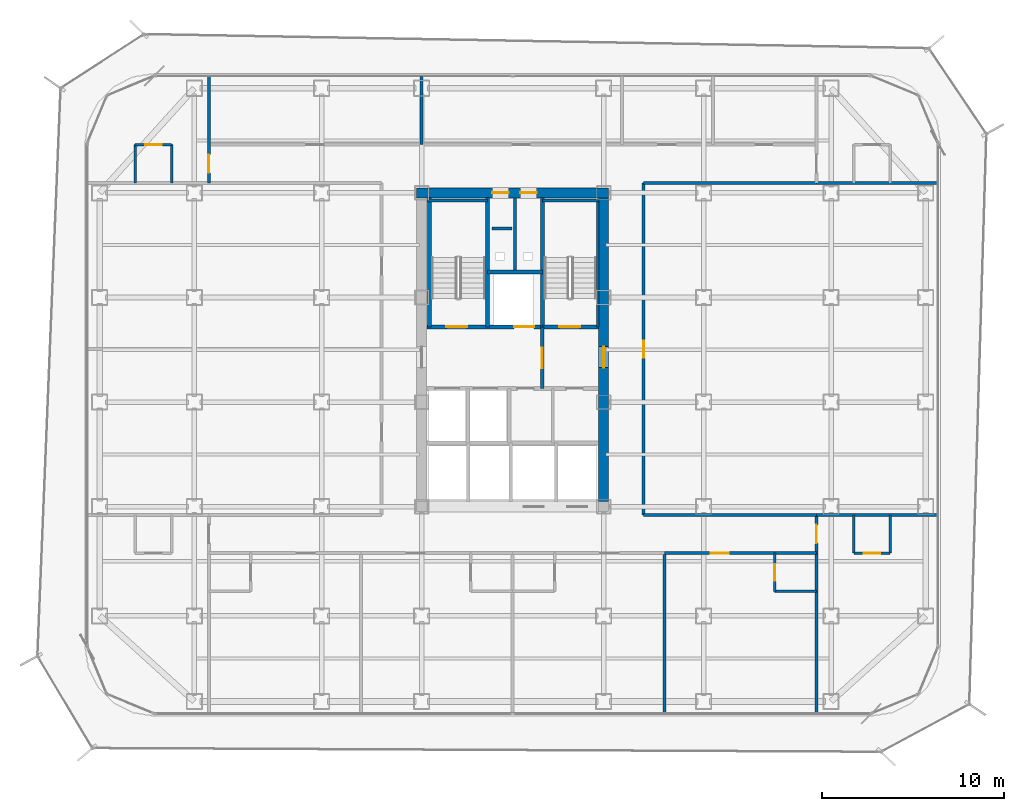
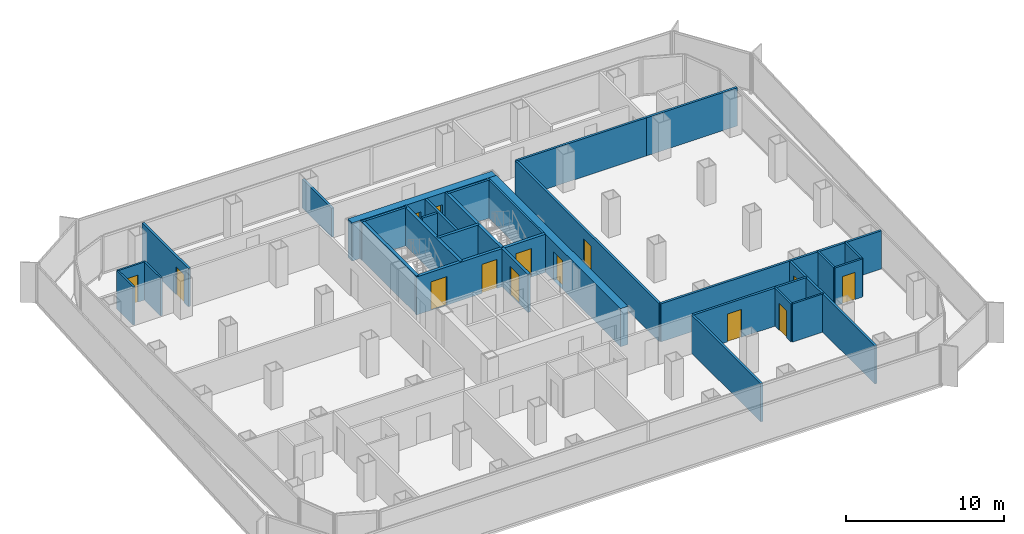
# One storey, part 17 of 21: 33 walls, 14 doors, 14 openings.
"""IFC4 building model written with IfcOpenShell, lengths in metres."""

import ifcopenshell
import ifcopenshell.guid

model = None  # the IFC model being written
_history = None  # IfcOwnerHistory: only IFC2X3 demands one
_inside = {}  # id of a spatial element -> (the spatial element, [elements in it])
_under = {}  # id of a project, library or spatial element -> (it, [spatial elements below it])
_declared = {}  # id of a project -> (the project, [libraries it declares])
_typed = {}  # id of a type object -> (the type object, [elements of that type])
_made_of = {}  # id of a material, layer set ... -> (it, [elements and type objects made of it])


def new_model(schema):
    """Start an empty IFC model of exactly this schema.

    Asked for "IFC4X3", IfcOpenShell would pick the latest addendum, in which some entities
    have other attributes; the version numbers below select the first issue.
    IFC2X3 requires an IfcOwnerHistory on every rooted entity: one is made here for all.
    """
    global model, _history
    if schema == "IFC4X3":
        model = ifcopenshell.file(schema_version=(4, 3, 0, 0))
    else:
        model = ifcopenshell.file(schema=schema)
    _inside.clear()
    _under.clear()
    _declared.clear()
    _typed.clear()
    _made_of.clear()
    _history = None
    if model.schema == "IFC2X3":
        org = make("IfcOrganization", Name="unknown")
        user = make(
            "IfcPersonAndOrganization",
            ThePerson=make("IfcPerson", FamilyName="unknown"),
            TheOrganization=org,
        )
        app = make(
            "IfcApplication",
            ApplicationDeveloper=org,
            Version="unknown",
            ApplicationFullName="unknown",
            ApplicationIdentifier="unknown",
        )
        _history = make(
            "IfcOwnerHistory",
            OwningUser=user,
            OwningApplication=app,
            ChangeAction="ADDED",
            CreationDate=0,
        )
    return model


def make(cls, **values):
    """One entity of the class cls with the attributes given. An attribute that is None is left unset."""
    return model.create_entity(
        cls, **{name: value for name, value in values.items() if value is not None}
    )


def rooted(cls, **values):
    """An entity with a GlobalId (a new one), such as an element, a storey or a relation."""
    return make(cls, GlobalId=ifcopenshell.guid.new(), OwnerHistory=_history, **values)


def si_unit(unit_type, name, prefix=None):
    """IfcSIUnit, for example si_unit("LENGTHUNIT", "METRE", prefix="MILLI")."""
    return make("IfcSIUnit", UnitType=unit_type, Prefix=prefix, Name=name)


def assignment(units):
    """IfcUnitAssignment: the units of a project."""
    return None if units is None else make("IfcUnitAssignment", Units=units)


def point(xyz):
    """IfcCartesianPoint."""
    return None if xyz is None else make("IfcCartesianPoint", Coordinates=xyz)


def direction(xyz):
    """IfcDirection."""
    return None if xyz is None else make("IfcDirection", DirectionRatios=xyz)


def frame(location, z_axis=None, x_axis=None):
    """IfcAxis2Placement3D, a coordinate frame: its origin and axes. An axis left out is left unset."""
    return make(
        "IfcAxis2Placement3D",
        Location=point(location),
        Axis=direction(z_axis),
        RefDirection=direction(x_axis),
    )


def frame_2d(location, x_axis=None):
    """IfcAxis2Placement2D, a coordinate frame in the plane: its origin and x axis."""
    return make(
        "IfcAxis2Placement2D", Location=point(location), RefDirection=direction(x_axis)
    )


def origin():
    """The frame at (0, 0, 0) with its axes left unset."""
    return frame((0.0, 0.0, 0.0))


def place(relative_to, where):
    """IfcLocalPlacement: puts the frame where relative to a parent placement (None: the world)."""
    return make(
        "IfcLocalPlacement", PlacementRelTo=relative_to, RelativePlacement=where
    )


def context(
    kind, dimensions, precision=None, world=None, true_north=None, identifier=None
):
    """IfcGeometricRepresentationContext, for example the 3D "Model" context."""
    return make(
        "IfcGeometricRepresentationContext",
        ContextIdentifier=identifier,
        ContextType=kind,
        CoordinateSpaceDimension=dimensions,
        Precision=precision,
        WorldCoordinateSystem=world,
        TrueNorth=true_north,
    )


def subcontext(parent, identifier, kind, view, scale=None):
    """IfcGeometricRepresentationSubContext, for example "Body" below "Model"."""
    return make(
        "IfcGeometricRepresentationSubContext",
        ContextIdentifier=identifier,
        ContextType=kind,
        ParentContext=parent,
        TargetScale=scale,
        TargetView=view,
    )


def project(units=None, contexts=None):
    """IfcProject with its units and contexts."""
    return rooted(
        "IfcProject",
        Name="project",
        RepresentationContexts=contexts,
        UnitsInContext=assignment(units),
    )


def spatial(cls, under=None, at=None, **own):
    """A site, building, storey or space (cls), placed at a placement, below another one or the project."""
    s = rooted(cls, ObjectPlacement=at, **own)
    if under is not None:
        _under.setdefault(under.id(), (under, []))[1].append(s)
    return s


def profile(cls, at=None, kind="AREA", **sizes):
    """A parametric profile (cls). Its sizes go by their IFC names, for example OverallWidth=200.0."""
    return make(cls, ProfileType=kind, Position=at, **sizes)


def rectangle(**sizes):
    """IfcRectangleProfileDef."""
    return profile("IfcRectangleProfileDef", **sizes)


def extrude(swept, where, along, depth):
    """IfcExtrudedAreaSolid: the profile swept, set in the frame where, extruded along a direction by depth."""
    return make(
        "IfcExtrudedAreaSolid",
        SweptArea=swept,
        Position=where,
        ExtrudedDirection=direction(along),
        Depth=depth,
    )


def shape(context_of_items, identifier, shape_type, items):
    """IfcShapeRepresentation: the items that make up one representation, for example the "Body"."""
    return make(
        "IfcShapeRepresentation",
        ContextOfItems=context_of_items,
        RepresentationIdentifier=identifier,
        RepresentationType=shape_type,
        Items=items,
    )


def material(Name=None, Category=None):
    """IfcMaterial."""
    return make("IfcMaterial", Name=Name, Category=Category)


def layer(
    of_material, thickness, ventilated=None, Name=None, Category=None, Priority=None
):
    """IfcMaterialLayer: one layer of a wall or slab, of a material (None: an air gap)."""
    return make(
        "IfcMaterialLayer",
        Material=of_material,
        LayerThickness=thickness,
        IsVentilated=ventilated,
        Name=Name,
        Category=Category,
        Priority=Priority,
    )


def layer_set(layers, Name=None):
    """IfcMaterialLayerSet."""
    return make("IfcMaterialLayerSet", MaterialLayers=layers, LayerSetName=Name)


def made_of(thing, what):
    """Note that an element or type object is made of a material, layer set ...; save() writes the relation."""
    if what is not None:
        _made_of.setdefault(what.id(), (what, []))[1].append(thing)
    return thing


def type_object(cls, material=None, **own):
    """A type object (cls), such as IfcWallType, which elements share."""
    return made_of(rooted(cls, **own), material)


def element(
    cls,
    number,
    at=None,
    inside=None,
    cuts=None,
    type_object=None,
    material=None,
    context=None,
    identifier="Body",
    shape_type=None,
    held_by="IfcProductDefinitionShape",
    body=None,
    shapes=None,
    **own,
):
    """One element of the class cls, such as IfcWall. Its Tag is "e" and its number.

    at: its placement. inside: the storey or other place that contains it. cuts: it is an
    opening in that element (IfcRelVoidsElement). A single representation is given by context,
    identifier, shape_type and body (its items); several are given by shapes. held_by: the class
    of the entity that holds the representations. save() writes the other relations.
    """
    e = rooted(cls, Tag="e%d" % number, ObjectPlacement=at, **own)
    if body is not None:
        shapes = [shape(context, identifier, shape_type, body)]
    if shapes is not None:
        e.Representation = make(held_by, Representations=shapes)
    if inside is not None:
        _inside.setdefault(inside.id(), (inside, []))[1].append(e)
    if cuts is not None:
        rooted(
            "IfcRelVoidsElement", RelatingBuildingElement=cuts, RelatedOpeningElement=e
        )
    if type_object is not None:
        _typed.setdefault(type_object.id(), (type_object, []))[1].append(e)
    return made_of(e, material)


def fill(opening, filler):
    """IfcRelFillsElement: the door or window that sits in an opening."""
    return rooted(
        "IfcRelFillsElement",
        RelatingOpeningElement=opening,
        RelatedBuildingElement=filler,
    )


def aggregate(whole, parts):
    """IfcRelAggregates: a whole, such as a stair, and the parts it consists of."""
    return rooted("IfcRelAggregates", RelatingObject=whole, RelatedObjects=parts)


def save(model, path):
    """Write the relations noted so far, then the file.

    IfcRelAggregates (storeys below a building ...), IfcRelContainedInSpatialStructure (elements
    in a storey), IfcRelDefinesByType, IfcRelAssociatesMaterial and IfcRelDeclares: one each for
    every whole, place, type object, material and project.
    """
    for whole, parts in _under.values():
        aggregate(whole, parts)
    for where, things in _inside.values():
        rooted(
            "IfcRelContainedInSpatialStructure",
            RelatedElements=things,
            RelatingStructure=where,
        )
    for kind, things in _typed.values():
        rooted("IfcRelDefinesByType", RelatedObjects=things, RelatingType=kind)
    for what, things in _made_of.values():
        rooted("IfcRelAssociatesMaterial", RelatedObjects=things, RelatingMaterial=what)
    for by, libraries in _declared.values():
        rooted("IfcRelDeclares", RelatingContext=by, RelatedDefinitions=libraries)
    model.write(path)


model = new_model("IFC4")

# Units and contexts
model_context = context("Model", 3, precision=1e-05, world=origin(), true_north=direction((0.0, 1.0)))
body_context = subcontext(model_context, "Body", "Model", "MODEL_VIEW")
ifc_project = project(units=[si_unit("LENGTHUNIT", "METRE"), si_unit("AREAUNIT", "SQUARE_METRE"), si_unit("VOLUMEUNIT", "CUBIC_METRE"), si_unit("PLANEANGLEUNIT", "RADIAN"), si_unit("MASSUNIT", "GRAM", prefix="KILO")], contexts=[model_context])

# Site, building, storey
site_placement = place(None, origin())
site = spatial("IfcSite", under=ifc_project, at=site_placement, CompositionType="ELEMENT")
building_placement = place(site_placement, origin())
building = spatial("IfcBuilding", under=site, at=building_placement, Name="Kolveth Station Tower", CompositionType="ELEMENT")
storey_placement = place(building_placement, frame((0.0, 0.0, 92.699951171875)))
storey = spatial("IfcBuildingStorey", under=building, at=storey_placement, Name="L24", CompositionType="ELEMENT", Elevation=92.699951171875)

# Wall, openings, doors
ifc_material_1 = material(Name="Concrete C60/75", Category="concrete")
ifc_layer_1 = layer(ifc_material_1, 0.550048828125)
ifc_layer_set_1 = layer_set([ifc_layer_1], Name="Concrete C60/75")
wall_type_1 = type_object("IfcWallType", Name="Wall_CW-550", PredefinedType="SHEAR", material=ifc_layer_set_1)
wall_1_placement = place(storey_placement, frame((18.22509765625, 28.75, 0.0), z_axis=(0.0, 0.0, 1.0), x_axis=(1.0, 0.0, 0.0)))
wall_1 = element("IfcWall", 1, at=wall_1_placement, inside=storey, type_object=wall_type_1, Name="L24 Core RC Shear Wall N", PredefinedType="SHEAR", context=body_context, shape_type="SweptSolid", body=[
    extrude(rectangle(XDim=10.5498046875, YDim=0.550048828125, at=frame_2d((5.27490234375, 0.0))), origin(), (0.0, 0.0, 1.0), 2.949951171875),
])
opening_1_placement = place(wall_1_placement, frame((4.155029296875, 0.0, 0.0)))
opening_1 = element("IfcOpeningElement", 2, at=opening_1_placement, cuts=wall_1, Name="Opening RD1", PredefinedType="OPENING", context=body_context, shape_type="SweptSolid", body=[
    extrude(rectangle(XDim=0.89990234375, YDim=2.050048828125, at=frame_2d((0.449951171875, 1.02490234375))), frame((0.0, 0.284912109375, 0.0), z_axis=(0.0, -1.0, 0.0), x_axis=(1.0, 0.0, 0.0)), (0.0, 0.0, 1.0), 0.570068359375),
])
opening_2_placement = place(wall_1_placement, frame((5.695068359375, 0.0, 0.0)))
opening_2 = element("IfcOpeningElement", 3, at=opening_2_placement, cuts=wall_1, Name="Opening RD1", PredefinedType="OPENING", context=body_context, shape_type="SweptSolid", body=[
    extrude(rectangle(XDim=0.89990234375, YDim=2.050048828125, at=frame_2d((0.449951171875, 1.02490234375))), frame((0.0, 0.284912109375, 0.0), z_axis=(0.0, -1.0, 0.0), x_axis=(1.0, 0.0, 0.0)), (0.0, 0.0, 1.0), 0.570068359375),
])
ifc_material_2 = material(Name="Fire-rated Steel S355 riser access leaf", Category="steel")
door_type_1 = type_object("IfcDoorType", Name="Door_RD1", OperationType="NOTDEFINED", PredefinedType="DOOR", material=ifc_material_2)
door_1_placement = place(opening_1_placement, origin())
door_1 = element("IfcDoor", 4, at=door_1_placement, inside=storey, type_object=door_type_1, Name="L24 Electrical Riser Access Door", OperationType="SINGLE_SWING_LEFT", OverallHeight=2.050048828125, OverallWidth=0.89990234375, PredefinedType="DOOR", context=body_context, shape_type="SweptSolid", body=[
    extrude(rectangle(XDim=0.89990234375, YDim=2.050048828125, at=frame_2d((0.449951171875, 1.02490234375))), frame((0.0, 0.02490234375, 0.0), z_axis=(0.0, -1.0, 0.0), x_axis=(1.0, 0.0, 0.0)), (0.0, 0.0, 1.0), 0.050048828125),
])
fill(opening_1, door_1)
door_2_placement = place(opening_2_placement, origin())
door_2 = element("IfcDoor", 5, at=door_2_placement, inside=storey, type_object=door_type_1, Name="L24 Smoke Duct Access Door", OperationType="SINGLE_SWING_RIGHT", OverallHeight=2.050048828125, OverallWidth=0.89990234375, PredefinedType="DOOR", context=body_context, shape_type="SweptSolid", body=[
    extrude(rectangle(XDim=0.89990234375, YDim=2.050048828125, at=frame_2d((0.449951171875, 1.02490234375))), frame((0.0, 0.02490234375, 0.0), z_axis=(0.0, -1.0, 0.0), x_axis=(1.0, 0.0, 0.0)), (0.0, 0.0, 1.0), 0.050048828125),
])
fill(opening_2, door_2)

# Wall, opening, door
wall_2_placement = place(storey_placement, frame((28.5, 11.77490234375, 0.0), z_axis=(0.0, 0.0, 1.0), x_axis=(0.0, 1.0, 0.0)))
wall_2 = element("IfcWall", 6, at=wall_2_placement, inside=storey, type_object=wall_type_1, Name="L24 Core RC Shear Wall E", PredefinedType="SHEAR", context=body_context, shape_type="SweptSolid", body=[
    extrude(rectangle(XDim=16.7001953125, YDim=0.550048828125, at=frame_2d((8.35009765625, 0.0))), origin(), (0.0, 0.0, 1.0), 2.949951171875),
])
opening_3_placement = place(wall_2_placement, frame((7.375, 0.0, 0.0)))
opening_3 = element("IfcOpeningElement", 7, at=opening_3_placement, cuts=wall_2, Name="Opening FD1", PredefinedType="OPENING", context=body_context, shape_type="SweptSolid", body=[
    extrude(rectangle(XDim=1.14990234375, YDim=2.199951171875, at=frame_2d((0.574951171875, 1.10009765625))), frame((0.0, 0.284912109375, 0.0), z_axis=(0.0, -1.0, 0.0), x_axis=(1.0, 0.0, 0.0)), (0.0, 0.0, 1.0), 0.570068359375),
])
ifc_material_3 = material(Name="Fire-rated Steel S355 leaf and frame", Category="steel")
door_type_2 = type_object("IfcDoorType", Name="Door_FD1", OperationType="NOTDEFINED", PredefinedType="DOOR", material=ifc_material_3)
door_3_placement = place(opening_3_placement, origin())
door_3 = element("IfcDoor", 8, at=door_3_placement, inside=storey, type_object=door_type_2, Name="L24 East Corridor to Stair Lobby Door", OperationType="SINGLE_SWING_RIGHT", OverallHeight=2.199951171875, OverallWidth=1.14990234375, PredefinedType="DOOR", context=body_context, shape_type="SweptSolid", body=[
    extrude(rectangle(XDim=1.14990234375, YDim=2.199951171875, at=frame_2d((0.574951171875, 1.10009765625))), frame((0.0, 0.02490234375, 0.0), z_axis=(0.0, -1.0, 0.0), x_axis=(1.0, 0.0, 0.0)), (0.0, 0.0, 1.0), 0.050048828125),
])
fill(opening_3, door_3)

# Walls
ifc_material_4 = material(Name="Moisture-resistant gypsum partition")
ifc_layer_2 = layer(ifc_material_4, 0.135009765625)
ifc_layer_set_2 = layer_set([ifc_layer_2], Name="Moisture-resistant gypsum partition")
wall_type_2 = type_object("IfcWallType", Name="Wall_IW-135", PredefinedType="PARTITIONING", material=ifc_layer_set_2)
wall_3_placement = place(storey_placement, frame((28.16748046875, 21.389892578125, 0.0), z_axis=(0.0, 0.0, 1.0), x_axis=(0.0, 1.0, 0.0)))
element("IfcWall", 9, at=wall_3_placement, inside=storey, type_object=wall_type_2, Name="L24 Stair Shaft Wall WL-L24-ST2-E", PredefinedType="PARTITIONING", context=body_context, shape_type="SweptSolid", body=[
    extrude(rectangle(XDim=6.945068359375, YDim=0.135009765625, at=frame_2d((3.47265625, 0.0))), origin(), (0.0, 0.0, 1.0), 2.949951171875),
])
for number, where, z_axis, x_axis, name in (
    (10, (2.75, 29.300048828125, 0.0), (0.0, 0.0, 1.0), (0.0, 1.0, 0.0), "L24 Partition Wall WL-L24-WS2-BV1"),
    (11, (4.75, 29.300048828125, 0.0), (0.0, 0.0, 1.0), (0.0, 1.0, 0.0), "L24 Partition Wall WL-L24-WS2-BV2"),
):
    element("IfcWall", number, at=place(storey_placement, frame(where, z_axis=z_axis, x_axis=x_axis)), inside=storey, type_object=wall_type_2, Name=name, PredefinedType="PARTITIONING", context=body_context, shape_type="SweptSolid", body=[
        extrude(rectangle(XDim=2.099853515625, YDim=0.135009765625, at=frame_2d((1.0498046875, 0.0))), origin(), (0.0, 0.0, 1.0), 2.949951171875),
    ])

# Wall, opening, door
wall_4_placement = place(storey_placement, frame((2.75, 31.39990234375, 0.0), z_axis=(0.0, 0.0, 1.0), x_axis=(1.0, 0.0, 0.0)))
wall_4 = element("IfcWall", 12, at=wall_4_placement, inside=storey, type_object=wall_type_2, Name="L24 Partition Wall WL-L24-WS2-BH", PredefinedType="PARTITIONING", context=body_context, shape_type="SweptSolid", body=[
    extrude(rectangle(XDim=2.0, YDim=0.135009765625, at=frame_2d((1.0, 0.0))), origin(), (0.0, 0.0, 1.0), 2.949951171875),
])
opening_4_placement = place(wall_4_placement, frame((0.5400390625, 0.0, 0.0)))
opening_4 = element("IfcOpeningElement", 13, at=opening_4_placement, cuts=wall_4, Name="Opening ID2", PredefinedType="OPENING", context=body_context, shape_type="SweptSolid", body=[
    extrude(rectangle(XDim=0.919921875, YDim=2.10009765625, at=frame_2d((0.4599609375, 1.050048828125))), frame((0.0, 0.077392578125, 0.0), z_axis=(0.0, -1.0, 0.0), x_axis=(1.0, 0.0, 0.0)), (0.0, 0.0, 1.0), 0.155029296875),
])
ifc_material_5 = material(Name="Moisture-resistant hardwood leaf", Category="wood")
door_type_3 = type_object("IfcDoorType", Name="Door_ID2", OperationType="NOTDEFINED", PredefinedType="DOOR", material=ifc_material_5)
door_4_placement = place(opening_4_placement, frame((0.919921875, 0.0, 0.0), z_axis=(0.0, 0.0, 1.0), x_axis=(-1.0, 0.0, 0.0)))
door_4 = element("IfcDoor", 14, at=door_4_placement, inside=storey, type_object=door_type_3, Name="L24 Hotel Corner Suite WS2 En-Suite Door", OperationType="SINGLE_SWING_LEFT", OverallHeight=2.10009765625, OverallWidth=0.919921875, PredefinedType="DOOR", context=body_context, shape_type="SweptSolid", body=[
    extrude(rectangle(XDim=0.919921875, YDim=2.10009765625, at=frame_2d((0.4599609375, 1.050048828125))), frame((0.0, 0.02490234375, 0.0), z_axis=(0.0, -1.0, 0.0), x_axis=(1.0, 0.0, 0.0)), (0.0, 0.0, 1.0), 0.050048828125),
])
fill(opening_4, door_4)

# Walls
for number, where, z_axis, x_axis, name in (
    (15, (42.25, 8.949951171875, 0.0), (0.0, 0.0, 1.0), (0.0, 1.0, 0.0), "L24 Partition Wall WL-L24-ES1-BV1"),
    (16, (44.25, 8.949951171875, 0.0), (0.0, 0.0, 1.0), (0.0, 1.0, 0.0), "L24 Partition Wall WL-L24-ES1-BV2"),
):
    element("IfcWall", number, at=place(storey_placement, frame(where, z_axis=z_axis, x_axis=x_axis)), inside=storey, type_object=wall_type_2, Name=name, PredefinedType="PARTITIONING", context=body_context, shape_type="SweptSolid", body=[
        extrude(rectangle(XDim=2.10009765625, YDim=0.135009765625, at=frame_2d((1.050048828125, 0.0))), origin(), (0.0, 0.0, 1.0), 2.949951171875),
    ])

# Wall, opening, door
wall_5_placement = place(storey_placement, frame((42.25, 8.949951171875, 0.0), z_axis=(0.0, 0.0, 1.0), x_axis=(1.0, 0.0, 0.0)))
wall_5 = element("IfcWall", 17, at=wall_5_placement, inside=storey, type_object=wall_type_2, Name="L24 Partition Wall WL-L24-ES1-BH", PredefinedType="PARTITIONING", context=body_context, shape_type="SweptSolid", body=[
    extrude(rectangle(XDim=2.0, YDim=0.135009765625, at=frame_2d((1.0, 0.0))), origin(), (0.0, 0.0, 1.0), 2.949951171875),
])
opening_5_placement = place(wall_5_placement, frame((0.5400390625, 0.0, 0.0)))
opening_5 = element("IfcOpeningElement", 18, at=opening_5_placement, cuts=wall_5, Name="Opening ID2", PredefinedType="OPENING", context=body_context, shape_type="SweptSolid", body=[
    extrude(rectangle(XDim=0.919921875, YDim=2.10009765625, at=frame_2d((0.4599609375, 1.050048828125))), frame((0.0, 0.077392578125, 0.0), z_axis=(0.0, -1.0, 0.0), x_axis=(1.0, 0.0, 0.0)), (0.0, 0.0, 1.0), 0.155029296875),
])
door_5_placement = place(opening_5_placement, origin())
door_5 = element("IfcDoor", 19, at=door_5_placement, inside=storey, type_object=door_type_3, Name="L24 Hotel Corner Suite ES1 En-Suite Door", OperationType="SINGLE_SWING_LEFT", OverallHeight=2.10009765625, OverallWidth=0.919921875, PredefinedType="DOOR", context=body_context, shape_type="SweptSolid", body=[
    extrude(rectangle(XDim=0.919921875, YDim=2.10009765625, at=frame_2d((0.4599609375, 1.050048828125))), frame((0.0, 0.02490234375, 0.0), z_axis=(0.0, -1.0, 0.0), x_axis=(1.0, 0.0, 0.0)), (0.0, 0.0, 1.0), 0.050048828125),
])
fill(opening_5, door_5)

wall_6_placement = place(storey_placement, frame((37.89990234375, 6.85009765625, 0.0), z_axis=(0.0, 0.0, 1.0), x_axis=(0.0, 1.0, 0.0)))
wall_6 = element("IfcWall", 20, at=wall_6_placement, inside=storey, type_object=wall_type_2, Name="L24 Partition Wall WL-L24-HS4-BV", PredefinedType="PARTITIONING", context=body_context, shape_type="SweptSolid", body=[
    extrude(rectangle(XDim=2.099853515625, YDim=0.135009765625, at=frame_2d((1.0498046875, 0.0))), origin(), (0.0, 0.0, 1.0), 2.949951171875),
])
opening_6_placement = place(wall_6_placement, frame((0.580078125, 0.0, 0.0)))
opening_6 = element("IfcOpeningElement", 21, at=opening_6_placement, cuts=wall_6, Name="Opening ID2", PredefinedType="OPENING", context=body_context, shape_type="SweptSolid", body=[
    extrude(rectangle(XDim=0.919921875, YDim=2.10009765625, at=frame_2d((0.4599609375, 1.050048828125))), frame((0.0, 0.077392578125, 0.0), z_axis=(0.0, -1.0, 0.0), x_axis=(1.0, 0.0, 0.0)), (0.0, 0.0, 1.0), 0.155029296875),
])
door_6_placement = place(opening_6_placement, origin())
door_6 = element("IfcDoor", 22, at=door_6_placement, inside=storey, type_object=door_type_3, Name="L24 Hotel Corner Suite HS4 En-Suite Door", OperationType="SINGLE_SWING_LEFT", OverallHeight=2.10009765625, OverallWidth=0.919921875, PredefinedType="DOOR", context=body_context, shape_type="SweptSolid", body=[
    extrude(rectangle(XDim=0.919921875, YDim=2.10009765625, at=frame_2d((0.4599609375, 1.050048828125))), frame((0.0, 0.02490234375, 0.0), z_axis=(0.0, -1.0, 0.0), x_axis=(1.0, 0.0, 0.0)), (0.0, 0.0, 1.0), 0.050048828125),
])
fill(opening_6, door_6)

# Walls
wall_7_placement = place(storey_placement, frame((37.89990234375, 6.85009765625, 0.0), z_axis=(0.0, 0.0, 1.0), x_axis=(1.0, 0.0, 0.0)))
element("IfcWall", 23, at=wall_7_placement, inside=storey, type_object=wall_type_2, Name="L24 Partition Wall WL-L24-HS4-BH", PredefinedType="PARTITIONING", context=body_context, shape_type="SweptSolid", body=[
    extrude(rectangle(XDim=2.300048828125, YDim=0.135009765625, at=frame_2d((1.14990234375, 0.0))), origin(), (0.0, 0.0, 1.0), 2.949951171875),
])
ifc_material_6 = material(Name="Acoustic double-stud gypsum partition")
ifc_layer_3 = layer(ifc_material_6, 0.1650390625)
ifc_layer_set_3 = layer_set([ifc_layer_3], Name="Acoustic double-stud gypsum partition")
wall_type_3 = type_object("IfcWallType", Name="Wall_IW-165", PredefinedType="PARTITIONING", material=ifc_layer_set_3)
wall_8_placement = place(storey_placement, frame((18.784912109375, 28.3349609375, 0.0), z_axis=(0.0, 0.0, 1.0), x_axis=(1.0, 0.0, 0.0)))
element("IfcWall", 24, at=wall_8_placement, inside=storey, type_object=wall_type_3, Name="L24 Stair Shaft Wall WL-L24-ST1-N", PredefinedType="PARTITIONING", context=body_context, shape_type="SweptSolid", body=[
    extrude(rectangle(XDim=3.3251953125, YDim=0.1650390625, at=frame_2d((1.66259765625, 0.0))), origin(), (0.0, 0.0, 1.0), 2.949951171875),
])
wall_9_placement = place(storey_placement, frame((25.1298828125, 28.3349609375, 0.0), z_axis=(0.0, 0.0, 1.0), x_axis=(1.0, 0.0, 0.0)))
element("IfcWall", 25, at=wall_9_placement, inside=storey, type_object=wall_type_3, Name="L24 Stair Shaft Wall WL-L24-ST2-N", PredefinedType="PARTITIONING", context=body_context, shape_type="SweptSolid", body=[
    extrude(rectangle(XDim=3.085205078125, YDim=0.1650390625, at=frame_2d((1.54248046875, 0.0))), origin(), (0.0, 0.0, 1.0), 2.949951171875),
])
wall_10_placement = place(storey_placement, frame((23.6201171875, 24.39990234375, 0.0), z_axis=(0.0, 0.0, 1.0), x_axis=(0.0, 1.0, 0.0)))
element("IfcWall", 26, at=wall_10_placement, inside=storey, type_object=wall_type_3, Name="L24 Partition Wall WL-L24-RSR-M", PredefinedType="PARTITIONING", context=body_context, shape_type="SweptSolid", body=[
    extrude(rectangle(XDim=4.065185546875, YDim=0.1650390625, at=frame_2d((2.03271484375, 0.0))), origin(), (0.0, 0.0, 1.0), 2.949951171875),
])
for number, where, z_axis, x_axis, name in (
    (27, (30.699951171875, 11.050048828125, 0.0), (0.0, 0.0, 1.0), (1.0, 0.0, 0.0), "L24 Partition Wall WL-L24-HSET"),
    (28, (30.699951171875, 29.300048828125, 0.0), (0.0, 0.0, 1.0), (1.0, 0.0, 0.0), "L24 Partition Wall WL-L24-HNEB"),
):
    element("IfcWall", number, at=place(storey_placement, frame(where, z_axis=z_axis, x_axis=x_axis)), inside=storey, type_object=wall_type_3, Name=name, PredefinedType="PARTITIONING", context=body_context, shape_type="SweptSolid", body=[
        extrude(rectangle(XDim=9.5, YDim=0.1650390625, at=frame_2d((4.75, 0.0))), origin(), (0.0, 0.0, 1.0), 2.949951171875),
    ])

# Wall, opening, door
wall_11_placement = place(storey_placement, frame((30.699951171875, 11.050048828125, 0.0), z_axis=(0.0, 0.0, 1.0), x_axis=(0.0, 1.0, 0.0)))
wall_11 = element("IfcWall", 29, at=wall_11_placement, inside=storey, type_object=wall_type_3, Name="L24 Partition Wall WL-L24-HE", PredefinedType="PARTITIONING", context=body_context, shape_type="SweptSolid", body=[
    extrude(rectangle(XDim=18.25, YDim=0.1650390625, at=frame_2d((9.125, 0.0))), origin(), (0.0, 0.0, 1.0), 2.949951171875),
])
opening_7_placement = place(wall_11_placement, frame((8.625, 0.0, 0.0)))
opening_7 = element("IfcOpeningElement", 30, at=opening_7_placement, cuts=wall_11, Name="Opening ID1", PredefinedType="OPENING", context=body_context, shape_type="SweptSolid", body=[
    extrude(rectangle(XDim=0.949951171875, YDim=2.14990234375, at=frame_2d((0.47509765625, 1.074951171875))), frame((0.0, 0.092529296875, 0.0), z_axis=(0.0, -1.0, 0.0), x_axis=(1.0, 0.0, 0.0)), (0.0, 0.0, 1.0), 0.18505859375),
])
ifc_material_7 = material(Name="Acoustic hardwood leaf and aluminium frame", Category="wood")
door_type_4 = type_object("IfcDoorType", Name="Door_ID1", OperationType="NOTDEFINED", PredefinedType="DOOR", material=ifc_material_7)
door_7_placement = place(opening_7_placement, origin())
door_7 = element("IfcDoor", 31, at=door_7_placement, inside=storey, type_object=door_type_4, Name="L24 Conference Salon East Door", OperationType="SINGLE_SWING_LEFT", OverallHeight=2.14990234375, OverallWidth=0.949951171875, PredefinedType="DOOR", context=body_context, shape_type="SweptSolid", body=[
    extrude(rectangle(XDim=0.949951171875, YDim=2.14990234375, at=frame_2d((0.47509765625, 1.074951171875))), frame((0.0, 0.02490234375, 0.0), z_axis=(0.0, -1.0, 0.0), x_axis=(1.0, 0.0, 0.0)), (0.0, 0.0, 1.0), 0.050048828125),
])
fill(opening_7, door_7)

wall_12_placement = place(storey_placement, frame((6.800048828125, 29.300048828125, 0.0), z_axis=(0.0, 0.0, 1.0), x_axis=(0.0, 1.0, 0.0)))
wall_12 = element("IfcWall", 32, at=wall_12_placement, inside=storey, type_object=wall_type_3, Name="L24 Partition Wall WL-L24-END-WN", PredefinedType="PARTITIONING", context=body_context, shape_type="SweptSolid", body=[
    extrude(rectangle(XDim=5.83984375, YDim=0.1650390625, at=frame_2d((2.919921875, 0.0))), origin(), (0.0, 0.0, 1.0), 2.949951171875),
])
opening_8_placement = place(wall_12_placement, frame((0.550048828125, 0.0, 0.0)))
opening_8 = element("IfcOpeningElement", 33, at=opening_8_placement, cuts=wall_12, Name="Opening FD3", PredefinedType="OPENING", context=body_context, shape_type="SweptSolid", body=[
    extrude(rectangle(XDim=1.0, YDim=2.14990234375, at=frame_2d((0.5, 1.074951171875))), frame((0.0, 0.092529296875, 0.0), z_axis=(0.0, -1.0, 0.0), x_axis=(1.0, 0.0, 0.0)), (0.0, 0.0, 1.0), 0.18505859375),
])
ifc_material_8 = material(Name="Fire-rated hardwood leaf and aluminium frame", Category="wood")
door_type_5 = type_object("IfcDoorType", Name="Door_FD3", OperationType="NOTDEFINED", PredefinedType="DOOR", material=ifc_material_8)
door_8_placement = place(opening_8_placement, origin())
door_8 = element("IfcDoor", 34, at=door_8_placement, inside=storey, type_object=door_type_5, Name="L24 Hotel Corner Suite WS2 Entrance Door", OperationType="SINGLE_SWING_RIGHT", OverallHeight=2.14990234375, OverallWidth=1.0, PredefinedType="DOOR", context=body_context, shape_type="SweptSolid", body=[
    extrude(rectangle(XDim=1.0, YDim=2.14990234375, at=frame_2d((0.5, 1.074951171875))), frame((0.0, 0.02490234375, 0.0), z_axis=(0.0, -1.0, 0.0), x_axis=(1.0, 0.0, 0.0)), (0.0, 0.0, 1.0), 0.050048828125),
])
fill(opening_8, door_8)

wall_13_placement = place(storey_placement, frame((40.199951171875, 0.159912109375, 0.0), z_axis=(0.0, 0.0, 1.0), x_axis=(0.0, 1.0, 0.0)))
wall_13 = element("IfcWall", 35, at=wall_13_placement, inside=storey, type_object=wall_type_3, Name="L24 Partition Wall WL-L24-END-ES", PredefinedType="PARTITIONING", context=body_context, shape_type="SweptSolid", body=[
    extrude(rectangle(XDim=10.89013671875, YDim=0.1650390625, at=frame_2d((5.445068359375, 0.0))), origin(), (0.0, 0.0, 1.0), 2.949951171875),
])
opening_9_placement = place(wall_13_placement, frame((9.340087890625, 0.0, 0.0)))
opening_9 = element("IfcOpeningElement", 36, at=opening_9_placement, cuts=wall_13, Name="Opening FD3", PredefinedType="OPENING", context=body_context, shape_type="SweptSolid", body=[
    extrude(rectangle(XDim=1.0, YDim=2.14990234375, at=frame_2d((0.5, 1.074951171875))), frame((0.0, 0.092529296875, 0.0), z_axis=(0.0, -1.0, 0.0), x_axis=(1.0, 0.0, 0.0)), (0.0, 0.0, 1.0), 0.18505859375),
])
door_9_placement = place(opening_9_placement, frame((1.0, 0.0, 0.0), z_axis=(0.0, 0.0, 1.0), x_axis=(-1.0, 0.0, 0.0)))
door_9 = element("IfcDoor", 37, at=door_9_placement, inside=storey, type_object=door_type_5, Name="L24 Hotel Corner Suite ES1 Entrance Door", OperationType="SINGLE_SWING_RIGHT", OverallHeight=2.14990234375, OverallWidth=1.0, PredefinedType="DOOR", context=body_context, shape_type="SweptSolid", body=[
    extrude(rectangle(XDim=1.0, YDim=2.14990234375, at=frame_2d((0.5, 1.074951171875))), frame((0.0, 0.02490234375, 0.0), z_axis=(0.0, -1.0, 0.0), x_axis=(1.0, 0.0, 0.0)), (0.0, 0.0, 1.0), 0.050048828125),
])
fill(opening_9, door_9)

# Walls
for number, where, z_axis, x_axis, name in (
    (38, (40.199951171875, 11.050048828125, 0.0), (0.0, 0.0, 1.0), (1.0, 0.0, 0.0), "L24 Partition Wall WL-L24-EM1"),
    (39, (40.199951171875, 29.300048828125, 0.0), (0.0, 0.0, 1.0), (1.0, 0.0, 0.0), "L24 Partition Wall WL-L24-EM2"),
):
    element("IfcWall", number, at=place(storey_placement, frame(where, z_axis=z_axis, x_axis=x_axis)), inside=storey, type_object=wall_type_3, Name=name, PredefinedType="PARTITIONING", context=body_context, shape_type="SweptSolid", body=[
        extrude(rectangle(XDim=6.64013671875, YDim=0.1650390625, at=frame_2d((3.320068359375, 0.0))), origin(), (0.0, 0.0, 1.0), 2.949951171875),
    ])
wall_14_placement = place(storey_placement, frame((31.85009765625, 0.159912109375, 0.0), z_axis=(0.0, 0.0, 1.0), x_axis=(0.0, 1.0, 0.0)))
element("IfcWall", 40, at=wall_14_placement, inside=storey, type_object=wall_type_3, Name="L24 Partition Wall WL-L24-HSK-3", PredefinedType="PARTITIONING", context=body_context, shape_type="SweptSolid", body=[
    extrude(rectangle(XDim=8.7900390625, YDim=0.1650390625, at=frame_2d((4.39501953125, 0.0))), origin(), (0.0, 0.0, 1.0), 2.949951171875),
])
wall_15_placement = place(storey_placement, frame((37.89990234375, 8.949951171875, 0.0), z_axis=(0.0, 0.0, 1.0), x_axis=(1.0, 0.0, 0.0)))
element("IfcWall", 41, at=wall_15_placement, inside=storey, type_object=wall_type_3, Name="L24 Partition Wall WL-L24-HS4-BCOR", PredefinedType="PARTITIONING", context=body_context, shape_type="SweptSolid", body=[
    extrude(rectangle(XDim=2.300048828125, YDim=0.1650390625, at=frame_2d((1.14990234375, 0.0))), origin(), (0.0, 0.0, 1.0), 2.949951171875),
])

# Wall, opening, door
wall_16_placement = place(storey_placement, frame((31.85009765625, 8.949951171875, 0.0), z_axis=(0.0, 0.0, 1.0), x_axis=(1.0, 0.0, 0.0)))
wall_16 = element("IfcWall", 42, at=wall_16_placement, inside=storey, type_object=wall_type_3, Name="L24 Partition Wall WL-L24-HS4-RCOR", PredefinedType="PARTITIONING", context=body_context, shape_type="SweptSolid", body=[
    extrude(rectangle(XDim=6.0498046875, YDim=0.1650390625, at=frame_2d((3.02490234375, 0.0))), origin(), (0.0, 0.0, 1.0), 2.949951171875),
])
opening_10_placement = place(wall_16_placement, frame((2.52490234375, 0.0, 0.0)))
opening_10 = element("IfcOpeningElement", 43, at=opening_10_placement, cuts=wall_16, Name="Opening FD3", PredefinedType="OPENING", context=body_context, shape_type="SweptSolid", body=[
    extrude(rectangle(XDim=1.0, YDim=2.14990234375, at=frame_2d((0.5, 1.074951171875))), frame((0.0, 0.092529296875, 0.0), z_axis=(0.0, -1.0, 0.0), x_axis=(1.0, 0.0, 0.0)), (0.0, 0.0, 1.0), 0.18505859375),
])
door_10_placement = place(opening_10_placement, frame((1.0, 0.0, 0.0), z_axis=(0.0, 0.0, 1.0), x_axis=(-1.0, 0.0, 0.0)))
door_10 = element("IfcDoor", 44, at=door_10_placement, inside=storey, type_object=door_type_5, Name="L24 Hotel Corner Suite HS4 Entrance Door", OperationType="SINGLE_SWING_RIGHT", OverallHeight=2.14990234375, OverallWidth=1.0, PredefinedType="DOOR", context=body_context, shape_type="SweptSolid", body=[
    extrude(rectangle(XDim=1.0, YDim=2.14990234375, at=frame_2d((0.5, 1.074951171875))), frame((0.0, 0.02490234375, 0.0), z_axis=(0.0, -1.0, 0.0), x_axis=(1.0, 0.0, 0.0)), (0.0, 0.0, 1.0), 0.050048828125),
])
fill(opening_10, door_10)

# Walls
wall_17_placement = place(storey_placement, frame((18.5, 31.39990234375, 0.0), z_axis=(0.0, 0.0, 1.0), x_axis=(0.0, 1.0, 0.0)))
element("IfcWall", 45, at=wall_17_placement, inside=storey, type_object=wall_type_3, Name="L24 Partition Wall WL-L24-HN-P1", PredefinedType="PARTITIONING", context=body_context, shape_type="SweptSolid", body=[
    extrude(rectangle(XDim=3.739990234375, YDim=0.1650390625, at=frame_2d((1.8701171875, 0.0))), origin(), (0.0, 0.0, 1.0), 2.2470703125),
])
wall_18_placement = place(storey_placement, frame((22.35009765625, 26.800048828125, 0.0), z_axis=(0.0, 0.0, 1.0), x_axis=(1.0, 0.0, 0.0)))
element("IfcWall", 46, at=wall_18_placement, inside=storey, type_object=wall_type_3, Name="L24 Acoustic Riser Dry-Lining Wall", PredefinedType="PARTITIONING", context=body_context, shape_type="SweptSolid", body=[
    extrude(rectangle(XDim=1.099853515625, YDim=0.1650390625, at=frame_2d((0.5498046875, 0.0))), origin(), (0.0, 0.0, 1.0), 2.949951171875),
])
ifc_material_9 = material(Name="Acoustic fire-rated gypsum blockwork", Category="masonry")
ifc_layer_4 = layer(ifc_material_9, 0.199951171875)
ifc_layer_set_4 = layer_set([ifc_layer_4], Name="Acoustic fire-rated gypsum blockwork")
wall_type_4 = type_object("IfcWallType", Name="Wall_IW-200", PredefinedType="PARTITIONING", material=ifc_layer_set_4)
wall_19_placement = place(storey_placement, frame((22.110107421875, 24.39990234375, 0.0), z_axis=(0.0, 0.0, 1.0), x_axis=(1.0, 0.0, 0.0)))
element("IfcWall", 47, at=wall_19_placement, inside=storey, type_object=wall_type_4, Name="L24 Partition Wall WL-L24-RSR-S", PredefinedType="PARTITIONING", context=body_context, shape_type="SweptSolid", body=[
    extrude(rectangle(XDim=3.019775390625, YDim=0.199951171875, at=frame_2d((1.509765625, 0.0))), origin(), (0.0, 0.0, 1.0), 2.949951171875),
])

# Wall, opening, door
wall_20_placement = place(storey_placement, frame((25.1298828125, 18.0, 0.0), z_axis=(0.0, 0.0, 1.0), x_axis=(0.0, 1.0, 0.0)))
wall_20 = element("IfcWall", 48, at=wall_20_placement, inside=storey, type_object=wall_type_4, Name="L24 Partition Wall WL-L24-FFL-E", PredefinedType="PARTITIONING", context=body_context, shape_type="SweptSolid", body=[
    extrude(rectangle(XDim=3.389892578125, YDim=0.199951171875, at=frame_2d((1.69482421875, 0.0))), origin(), (0.0, 0.0, 1.0), 2.949951171875),
])
opening_11_placement = place(wall_20_placement, frame((1.10009765625, 0.0, 0.0)))
opening_11 = element("IfcOpeningElement", 49, at=opening_11_placement, cuts=wall_20, Name="Opening FD1", PredefinedType="OPENING", context=body_context, shape_type="SweptSolid", body=[
    extrude(rectangle(XDim=1.14990234375, YDim=2.199951171875, at=frame_2d((0.574951171875, 1.10009765625))), frame((0.0, 0.10986328125, 0.0), z_axis=(0.0, -1.0, 0.0), x_axis=(1.0, 0.0, 0.0)), (0.0, 0.0, 1.0), 0.219970703125),
])
door_11_placement = place(opening_11_placement, origin())
door_11 = element("IfcDoor", 50, at=door_11_placement, inside=storey, type_object=door_type_2, Name="L24 Firefighting to Stair Lobby Door", OperationType="SINGLE_SWING_RIGHT", OverallHeight=2.199951171875, OverallWidth=1.14990234375, PredefinedType="DOOR", context=body_context, shape_type="SweptSolid", body=[
    extrude(rectangle(XDim=1.14990234375, YDim=2.199951171875, at=frame_2d((0.574951171875, 1.10009765625))), frame((0.0, 0.02490234375, 0.0), z_axis=(0.0, -1.0, 0.0), x_axis=(1.0, 0.0, 0.0)), (0.0, 0.0, 1.0), 0.050048828125),
])
fill(opening_11, door_11)

# Walls
ifc_material_10 = material(Name="Concrete C40/50", Category="concrete")
ifc_layer_5 = layer(ifc_material_10, 0.219970703125)
ifc_layer_set_5 = layer_set([ifc_layer_5], Name="Concrete C40/50")
wall_type_5 = type_object("IfcWallType", Name="Wall_IW-220", PredefinedType="SOLIDWALL", material=ifc_layer_set_5)
for number, where, z_axis, x_axis, name in (
    (51, (18.929931640625, 21.389892578125, 0.0), (0.0, 0.0, 1.0), (0.0, 1.0, 0.0), "L24 Stair Shaft Wall WL-L24-ST1-W"),
    (52, (22.110107421875, 21.389892578125, 0.0), (0.0, 0.0, 1.0), (0.0, 1.0, 0.0), "L24 Stair Shaft Wall WL-L24-ST1-E"),
    (53, (25.1298828125, 21.389892578125, 0.0), (0.0, 0.0, 1.0), (0.0, 1.0, 0.0), "L24 Stair Shaft Wall WL-L24-ST2-W"),
):
    element("IfcWall", number, at=place(storey_placement, frame(where, z_axis=z_axis, x_axis=x_axis)), inside=storey, type_object=wall_type_5, Name=name, PredefinedType="SOLIDWALL", context=body_context, shape_type="SweptSolid", body=[
        extrude(rectangle(XDim=7.110107421875, YDim=0.219970703125, at=frame_2d((3.55517578125, 0.0))), origin(), (0.0, 0.0, 1.0), 2.949951171875),
    ])

# Wall, openings, doors
wall_21_placement = place(storey_placement, frame((18.784912109375, 21.389892578125, 0.0), z_axis=(0.0, 0.0, 1.0), x_axis=(1.0, 0.0, 0.0)))
wall_21 = element("IfcWall", 54, at=wall_21_placement, inside=storey, type_object=wall_type_5, Name="L24 Stair Shaft Wall WL-L24-ST1-S", PredefinedType="SOLIDWALL", context=body_context, shape_type="SweptSolid", body=[
    extrude(rectangle(XDim=6.344970703125, YDim=0.219970703125, at=frame_2d((3.17236328125, 0.0))), origin(), (0.0, 0.0, 1.0), 2.949951171875),
])
opening_12_placement = place(wall_21_placement, frame((1.06494140625, 0.0, 0.0)))
opening_12 = element("IfcOpeningElement", 55, at=opening_12_placement, cuts=wall_21, Name="Opening FD1", PredefinedType="OPENING", context=body_context, shape_type="SweptSolid", body=[
    extrude(rectangle(XDim=1.14990234375, YDim=2.199951171875, at=frame_2d((0.574951171875, 1.10009765625))), frame((0.0, 0.119873046875, 0.0), z_axis=(0.0, -1.0, 0.0), x_axis=(1.0, 0.0, 0.0)), (0.0, 0.0, 1.0), 0.239990234375),
])
opening_13_placement = place(wall_21_placement, frame((4.794921875, 0.0, 0.0)))
opening_13 = element("IfcOpeningElement", 56, at=opening_13_placement, cuts=wall_21, Name="Opening LD1", PredefinedType="OPENING", context=body_context, shape_type="SweptSolid", body=[
    extrude(rectangle(XDim=1.10009765625, YDim=2.25, at=frame_2d((0.550048828125, 1.125))), frame((0.0, 0.119873046875, 0.0), z_axis=(0.0, -1.0, 0.0), x_axis=(1.0, 0.0, 0.0)), (0.0, 0.0, 1.0), 0.239990234375),
])
door_12_placement = place(opening_12_placement, frame((1.14990234375, 0.0, 0.0), z_axis=(0.0, 0.0, 1.0), x_axis=(-1.0, 0.0, 0.0)))
door_12 = element("IfcDoor", 57, at=door_12_placement, inside=storey, type_object=door_type_2, Name="L24 Stair ST1 Fire Door", OperationType="SINGLE_SWING_LEFT", OverallHeight=2.199951171875, OverallWidth=1.14990234375, PredefinedType="DOOR", context=body_context, shape_type="SweptSolid", body=[
    extrude(rectangle(XDim=1.14990234375, YDim=2.199951171875, at=frame_2d((0.574951171875, 1.10009765625))), frame((0.0, 0.02490234375, 0.0), z_axis=(0.0, -1.0, 0.0), x_axis=(1.0, 0.0, 0.0)), (0.0, 0.0, 1.0), 0.050048828125),
])
fill(opening_12, door_12)
ifc_material_11 = material(Name="Brushed stainless steel sliding landing doors", Category="steel")
door_type_6 = type_object("IfcDoorType", Name="Door_LD1", OperationType="NOTDEFINED", PredefinedType="DOOR", material=ifc_material_11)
door_13_placement = place(opening_13_placement, frame((1.10009765625, 0.0, 0.0), z_axis=(0.0, 0.0, 1.0), x_axis=(-1.0, 0.0, 0.0)))
door_13 = element("IfcDoor", 58, at=door_13_placement, inside=storey, type_object=door_type_6, Name="L24 Service Lift SV1 Landing Door", OperationType="DOUBLE_DOOR_SLIDING", OverallHeight=2.25, OverallWidth=1.10009765625, PredefinedType="DOOR", context=body_context, shape_type="SweptSolid", body=[
    extrude(rectangle(XDim=1.10009765625, YDim=2.25, at=frame_2d((0.550048828125, 1.125))), frame((0.0, 0.02490234375, 0.0), z_axis=(0.0, -1.0, 0.0), x_axis=(1.0, 0.0, 0.0)), (0.0, 0.0, 1.0), 0.050048828125),
])
fill(opening_13, door_13)

# Wall, opening, door
wall_22_placement = place(storey_placement, frame((25.1298828125, 21.389892578125, 0.0), z_axis=(0.0, 0.0, 1.0), x_axis=(1.0, 0.0, 0.0)))
wall_22 = element("IfcWall", 59, at=wall_22_placement, inside=storey, type_object=wall_type_5, Name="L24 Stair Shaft Wall WL-L24-ST2-S", PredefinedType="SOLIDWALL", context=body_context, shape_type="SweptSolid", body=[
    extrude(rectangle(XDim=3.085205078125, YDim=0.219970703125, at=frame_2d((1.54248046875, 0.0))), origin(), (0.0, 0.0, 1.0), 2.949951171875),
])
opening_14_placement = place(wall_22_placement, frame((0.919921875, 0.0, 0.0)))
opening_14 = element("IfcOpeningElement", 60, at=opening_14_placement, cuts=wall_22, Name="Opening FD1", PredefinedType="OPENING", context=body_context, shape_type="SweptSolid", body=[
    extrude(rectangle(XDim=1.14990234375, YDim=2.199951171875, at=frame_2d((0.574951171875, 1.10009765625))), frame((0.0, 0.119873046875, 0.0), z_axis=(0.0, -1.0, 0.0), x_axis=(1.0, 0.0, 0.0)), (0.0, 0.0, 1.0), 0.239990234375),
])
door_14_placement = place(opening_14_placement, frame((1.14990234375, 0.0, 0.0), z_axis=(0.0, 0.0, 1.0), x_axis=(-1.0, 0.0, 0.0)))
door_14 = element("IfcDoor", 61, at=door_14_placement, inside=storey, type_object=door_type_2, Name="L24 Stair ST2 Fire Door", OperationType="SINGLE_SWING_LEFT", OverallHeight=2.199951171875, OverallWidth=1.14990234375, PredefinedType="DOOR", context=body_context, shape_type="SweptSolid", body=[
    extrude(rectangle(XDim=1.14990234375, YDim=2.199951171875, at=frame_2d((0.574951171875, 1.10009765625))), frame((0.0, 0.02490234375, 0.0), z_axis=(0.0, -1.0, 0.0), x_axis=(1.0, 0.0, 0.0)), (0.0, 0.0, 1.0), 0.050048828125),
])
fill(opening_14, door_14)

save(model, "model.ifc")
